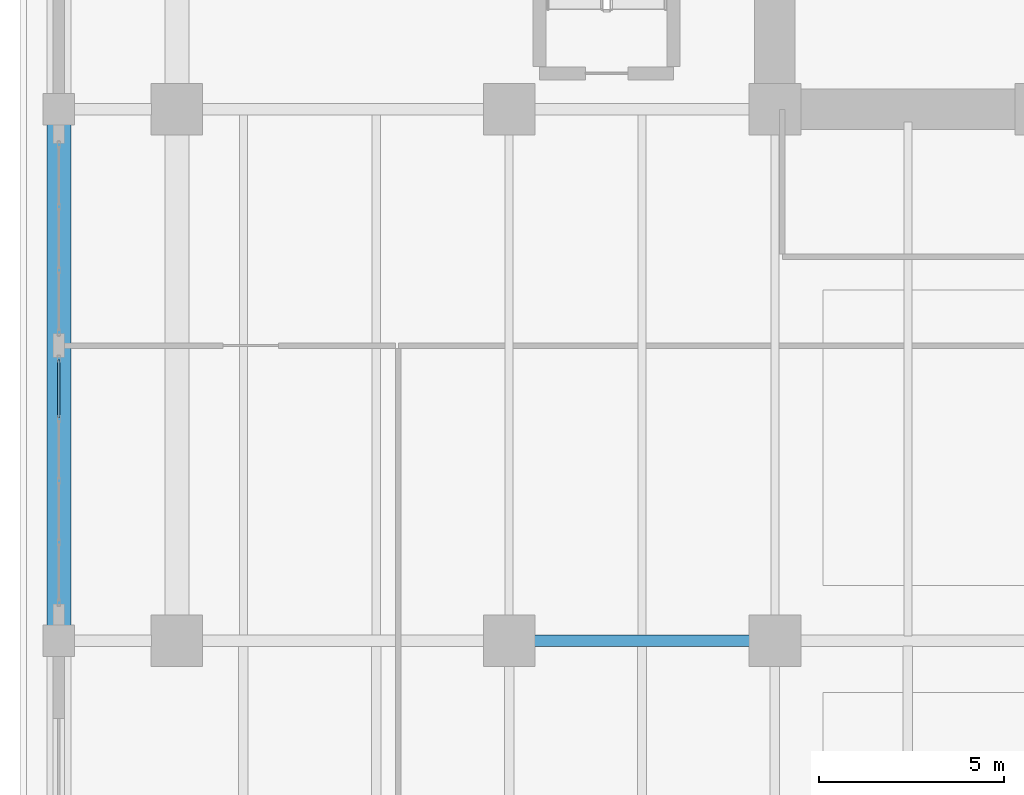
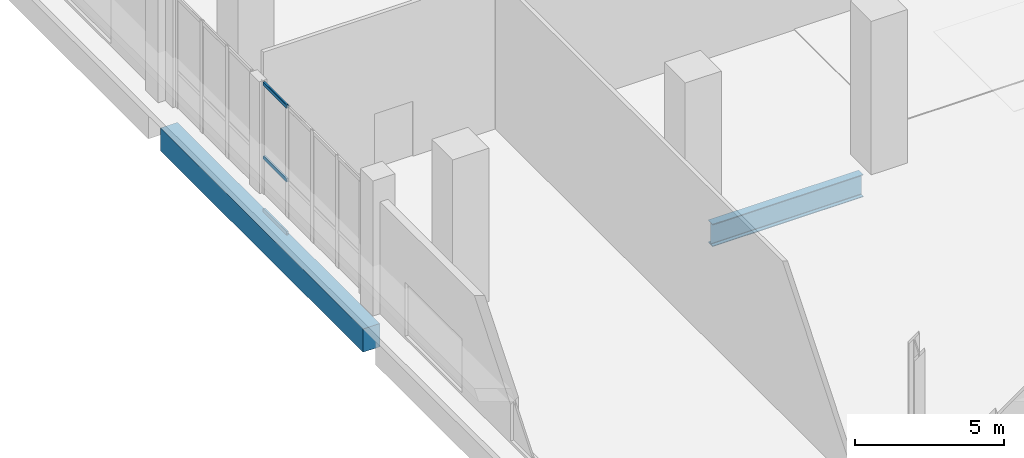
# One storey, part 8 of 29: 3 members, 2 beams, 1 element without a shape of its own.
"""IFC4 building model written with IfcOpenShell, lengths in metres."""

from ifc_helpers import new_model, si_unit, direction, frame, origin, origin_2d, place, context, subcontext, project, spatial, rectangle, hollow_rectangle, i_section, extrude, material, layer, layer_set, material_profile, profile_set, type_object, element, aggregate, save


model = new_model("IFC4")

# Units and contexts
model_context = context("Model", 3, precision=1e-05, world=origin(), true_north=direction((0.0, 1.0)))
body_context = subcontext(model_context, "Body", "Model", "MODEL_VIEW")
ifc_project = project(units=[si_unit("LENGTHUNIT", "METRE"), si_unit("AREAUNIT", "SQUARE_METRE"), si_unit("VOLUMEUNIT", "CUBIC_METRE"), si_unit("PLANEANGLEUNIT", "RADIAN"), si_unit("MASSUNIT", "GRAM", prefix="KILO")], contexts=[model_context])

# Site, building, storey
site_placement = place(None, origin())
site = spatial("IfcSite", under=ifc_project, at=site_placement, CompositionType="ELEMENT")
building_placement = place(site_placement, origin())
building = spatial("IfcBuilding", under=site, at=building_placement, Name="Kaelvorn Grand Hotel", CompositionType="ELEMENT")
storey_placement = place(building_placement, frame((0.0, 0.0, 19.39990234375)))
storey = spatial("IfcBuildingStorey", under=building, at=storey_placement, Name="L03", CompositionType="ELEMENT", Elevation=19.39990234375)

# Beams
ifc_material_1 = material(Name="Steel S355", Category="steel")
ifc_material_profile_1 = material_profile(ifc_material_1, i_section(OverallWidth=0.305419921875, OverallDepth=0.91845703125, WebThickness=0.017333984375, FlangeThickness=0.02783203125, FilletRadius=0.01904296875, at=origin_2d()), Name="UB 914x305x253")
ifc_profile_set_1 = profile_set([ifc_material_profile_1], Name="Steel S355")
beam_type_1 = type_object("IfcBeamType", Name="BM-G-UB914-S355", PredefinedType="BEAM", material=ifc_profile_set_1)
beam_1_placement = place(storey_placement, frame((9.68505859375, 15.0, -0.779052734375), z_axis=(1.0, 0.0, 0.0), x_axis=(0.0, 1.0, 0.0)))
element("IfcBeam", 1, at=beam_1_placement, inside=storey, type_object=beam_type_1, Name="L03 Primary Spine Steel Girder G-15 03", PredefinedType="BEAM", context=body_context, shape_type="SweptSolid", body=[
    extrude(i_section(OverallWidth=0.305419921875, OverallDepth=0.91845703125, WebThickness=0.017333984375, FlangeThickness=0.02783203125, FilletRadius=0.01904296875, at=origin_2d()), origin(), (0.0, 0.0, 1.0), 5.829833984375),
])
ifc_material_2 = material(Name="Concrete C60/75", Category="concrete")
ifc_material_profile_2 = material_profile(ifc_material_2, rectangle(XDim=0.64990234375, YDim=0.949951171875, at=origin_2d()), Name="RC SPANDREL 650x950")
ifc_profile_set_2 = profile_set([ifc_material_profile_2], Name="Concrete C60/75")
beam_type_2 = type_object("IfcBeamType", Name="BM-SP-650x950-C60", PredefinedType="SPANDREL", material=ifc_profile_set_2)
beam_2_placement = place(storey_placement, frame((-3.199951171875, 15.409912109375, -0.794921875), z_axis=(0.0, 1.0, 0.0), x_axis=(-1.0, 0.0, 0.0)))
element("IfcBeam", 2, at=beam_2_placement, inside=storey, type_object=beam_type_2, Name="L03 West Perimeter Spandrel 02", PredefinedType="SPANDREL", context=body_context, shape_type="SweptSolid", body=[
    extrude(rectangle(XDim=0.64990234375, YDim=0.949951171875, at=origin_2d()), origin(), (0.0, 0.0, 1.0), 13.580078125),
])

# Curtain wall, members
ifc_material_3 = material(Name="Anodised Aluminium", Category="aluminium")
ifc_layer = layer(ifc_material_3, 0.199951171875)
ifc_layer_set = layer_set([ifc_layer], Name="Anodised Aluminium")
curtain_wall_type = type_object("IfcCurtainWallType", Name="CW-SYS2", PredefinedType="NOTDEFINED", material=ifc_layer_set)
curtain_wall_placement = place(storey_placement, origin())
curtain_wall = element("IfcCurtainWall", 3, at=curtain_wall_placement, inside=storey, type_object=curtain_wall_type, Name="L03 Unitised Curtain Wall CW2 (CW-L03-W-01)", PredefinedType="NOTDEFINED")
ifc_material_profile_3 = material_profile(ifc_material_3, hollow_rectangle(XDim=0.074951171875, YDim=0.14990234375, WallThickness=0.00390625, InnerFilletRadius=0.00390625, OuterFilletRadius=0.008056640625, at=origin_2d()), Name="ALU TRAN 75x150")
ifc_profile_set_3 = profile_set([ifc_material_profile_3], Name="Anodised Aluminium")
member_type = type_object("IfcMemberType", Name="CW-SYS2-TRAN", PredefinedType="NOTDEFINED", material=ifc_profile_set_3)
member_1_placement = place(storey_placement, frame((-3.199951171875, 22.60498046875, 0.0751953125), z_axis=(0.0, -1.0, 0.0), x_axis=(1.0, 0.0, 0.0)))
member_1 = element("IfcMember", 4, at=member_1_placement, type_object=member_type, Name="CW2 transom 1.1", ObjectType="TRANSOM", PredefinedType="USERDEFINED", context=body_context, shape_type="SweptSolid", body=[
    extrude(hollow_rectangle(XDim=0.074951171875, YDim=0.14990234375, WallThickness=0.00390625, InnerFilletRadius=0.00390625, OuterFilletRadius=0.008056640625, at=origin_2d()), origin(), (0.0, 0.0, 1.0), 1.557373046875),
])
member_2_placement = place(storey_placement, frame((-3.199951171875, 22.60498046875, 2.23876953125), z_axis=(0.0, -1.0, 0.0), x_axis=(1.0, 0.0, 0.0)))
member_2 = element("IfcMember", 5, at=member_2_placement, type_object=member_type, Name="CW2 transom 1.2", ObjectType="TRANSOM", PredefinedType="USERDEFINED", context=body_context, shape_type="SweptSolid", body=[
    extrude(hollow_rectangle(XDim=0.074951171875, YDim=0.14990234375, WallThickness=0.00390625, InnerFilletRadius=0.00390625, OuterFilletRadius=0.008056640625, at=origin_2d()), origin(), (0.0, 0.0, 1.0), 1.557373046875),
])
member_3_placement = place(storey_placement, frame((-3.199951171875, 22.60498046875, 5.255126953125), z_axis=(0.0, -1.0, 0.0), x_axis=(1.0, 0.0, 0.0)))
member_3 = element("IfcMember", 6, at=member_3_placement, type_object=member_type, Name="CW2 transom 1.3", ObjectType="TRANSOM", PredefinedType="USERDEFINED", context=body_context, shape_type="SweptSolid", body=[
    extrude(hollow_rectangle(XDim=0.074951171875, YDim=0.14990234375, WallThickness=0.00390625, InnerFilletRadius=0.00390625, OuterFilletRadius=0.008056640625, at=origin_2d()), origin(), (0.0, 0.0, 1.0), 1.557373046875),
])
aggregate(curtain_wall, [member_1, member_2, member_3])

save(model, "model.ifc")
